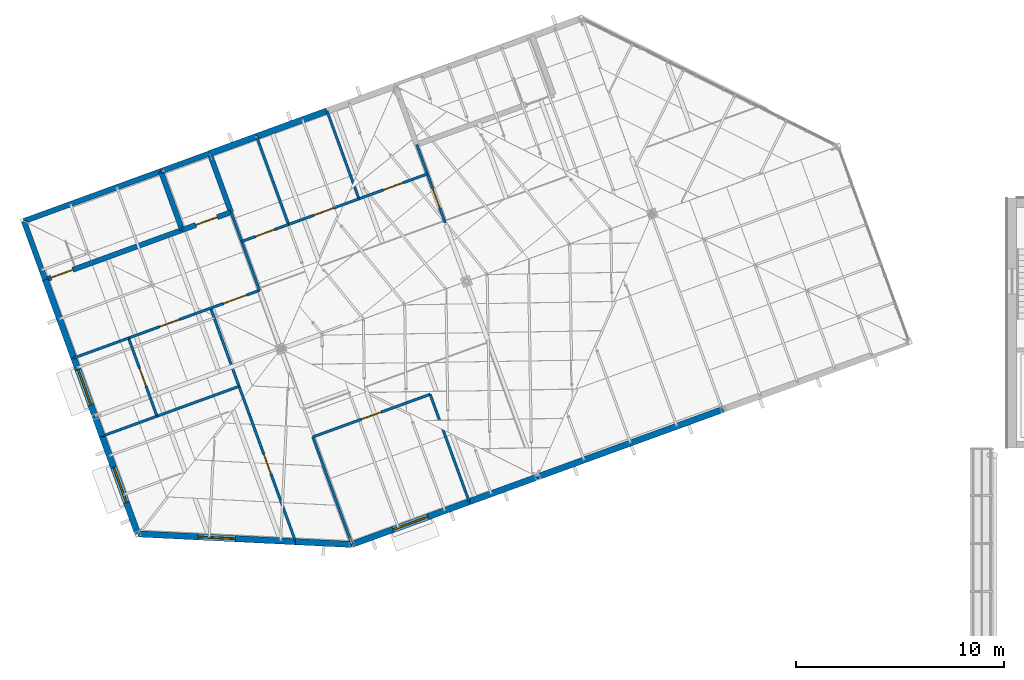
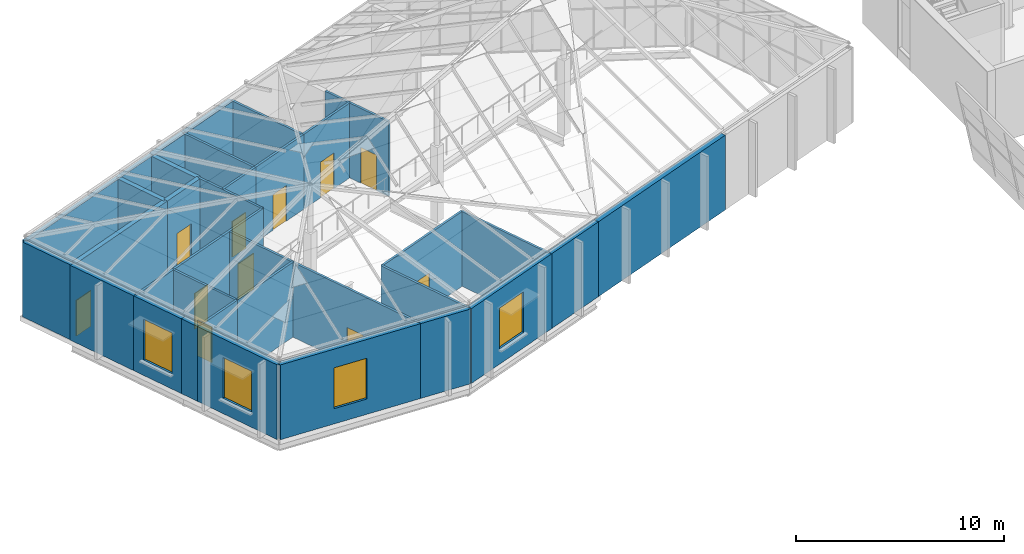
# One storey, part 51 of 95: 34 walls, 11 doors, 4 windows, 15 openings.
"""IFC4 building model written with IfcOpenShell, lengths in metres."""

from ifc_helpers import new_model, si_unit, direction, frame, frame_2d, origin, place, context, subcontext, project, spatial, rectangle, extrude, material, layer, layer_set, type_object, element, fill, save


model = new_model("IFC4")

# Units and contexts
model_context = context("Model", 3, precision=1e-05, world=origin(), true_north=direction((0.0, 1.0)))
body_context = subcontext(model_context, "Body", "Model", "MODEL_VIEW")
ifc_project = project(units=[si_unit("LENGTHUNIT", "METRE"), si_unit("AREAUNIT", "SQUARE_METRE"), si_unit("VOLUMEUNIT", "CUBIC_METRE"), si_unit("PLANEANGLEUNIT", "RADIAN"), si_unit("MASSUNIT", "GRAM", prefix="KILO")], contexts=[model_context])

# Site, building, storey
site_placement = place(None, origin())
site = spatial("IfcSite", under=ifc_project, at=site_placement, CompositionType="ELEMENT")
building_placement = place(site_placement, origin())
building = spatial("IfcBuilding", under=site, at=building_placement, Name="Windward Yard Aquatics Centre", CompositionType="ELEMENT")
storey_placement = place(building_placement, frame((0.0, 0.0, 9.39990234375)))
storey = spatial("IfcBuildingStorey", under=building, at=storey_placement, Name="L02", CompositionType="ELEMENT", Elevation=9.39990234375)

# Wall, opening, door
ifc_material_1 = material(Name="Concrete C40/50", Category="concrete")
ifc_layer_1 = layer(ifc_material_1, 0.25)
ifc_layer_set_1 = layer_set([ifc_layer_1], Name="F core wall 250 Concrete C40/50")
wall_type_1 = type_object("IfcWallType", Name="F core wall 250 Concrete C40/50", PredefinedType="SOLIDWALL", material=ifc_layer_set_1)
wall_1_placement = place(storey_placement, frame((5.751708984375, 92.07958984375, 0.0), z_axis=(0.0, 0.0, 1.0), x_axis=(0.939697665127, 0.342006283793, 0.0)))
wall_1 = element("IfcWall", 1, at=wall_1_placement, inside=storey, type_object=wall_type_1, Name="F.WL.L02.C01", PredefinedType="SOLIDWALL", context=body_context, shape_type="SweptSolid", body=[
    extrude(rectangle(XDim=7.0, YDim=0.25, at=frame_2d((3.5, 0.0))), origin(), (0.0, 0.0, 1.0), 4.400146484375),
])
opening_1_placement = place(wall_1_placement, frame((0.300048828125, 0.0, 0.0)))
opening_1 = element("IfcOpeningElement", 2, at=opening_1_placement, cuts=wall_1, Name="Opening F2001", PredefinedType="OPENING", context=body_context, shape_type="SweptSolid", body=[
    extrude(rectangle(XDim=1.10009765625, YDim=2.10009765625, at=frame_2d((0.550048828125, 1.050048828125))), frame((0.0, 0.135009765625, 0.0), z_axis=(0.0, -1.0, 0.0), x_axis=(1.0, 0.0, 0.0)), (0.0, 0.0, 1.0), 0.27001953125),
])
ifc_material_2 = material(Name="Steel, painted", Category="steel")
door_type_1 = type_object("IfcDoorType", Name="F fire door 1100x2100 steel", OperationType="SINGLE_SWING_LEFT", PredefinedType="DOOR", material=ifc_material_2)
door_1_placement = place(opening_1_placement, origin())
door_1 = element("IfcDoor", 3, at=door_1_placement, inside=storey, type_object=door_type_1, Name="Stair S1 door F2001", OperationType="SINGLE_SWING_RIGHT", OverallHeight=2.10009765625, OverallWidth=1.10009765625, PredefinedType="DOOR", context=body_context, shape_type="SweptSolid", body=[
    extrude(rectangle(XDim=1.10009765625, YDim=2.10009765625, at=frame_2d((0.550048828125, 1.050048828125))), frame((0.0, 0.02490234375, 0.0), z_axis=(0.0, -1.0, 0.0), x_axis=(1.0, 0.0, 0.0)), (0.0, 0.0, 1.0), 0.050048828125),
])
fill(opening_1, door_1)

# Wall
wall_2_placement = place(storey_placement, frame((12.32958984375, 94.4736328125, 0.0), z_axis=(0.0, 0.0, 1.0), x_axis=(-0.342037080957, 0.939686455819, 0.0)))
element("IfcWall", 4, at=wall_2_placement, inside=storey, type_object=wall_type_1, Name="F.WL.L02.C02", PredefinedType="SOLIDWALL", context=body_context, shape_type="SweptSolid", body=[
    extrude(rectangle(XDim=3.0, YDim=0.25, at=frame_2d((1.5, 0.0))), origin(), (0.0, 0.0, 1.0), 4.400146484375),
])

# Wall, opening, door
wall_3_placement = place(storey_placement, frame((12.32958984375, 94.4736328125, 0.0), z_axis=(0.0, 0.0, 1.0), x_axis=(0.939696437289, 0.342009657388, 0.0)))
wall_3 = element("IfcWall", 5, at=wall_3_placement, inside=storey, type_object=wall_type_1, Name="F.WL.L02.C03", PredefinedType="SOLIDWALL", context=body_context, shape_type="SweptSolid", body=[
    extrude(rectangle(XDim=2.499755859375, YDim=0.25, at=frame_2d((1.25, 0.0))), origin(), (0.0, 0.0, 1.0), 4.400146484375),
])
opening_2_placement = place(wall_3_placement, frame((0.699951171875, 0.0, 0.0)))
opening_2 = element("IfcOpeningElement", 6, at=opening_2_placement, cuts=wall_3, Name="Opening LD", PredefinedType="OPENING", context=body_context, shape_type="SweptSolid", body=[
    extrude(rectangle(XDim=1.10009765625, YDim=2.10009765625, at=frame_2d((0.550048828125, 1.050048828125))), frame((0.0, 0.135009765625, 0.0), z_axis=(0.0, -1.0, 0.0), x_axis=(1.0, 0.0, 0.0)), (0.0, 0.0, 1.0), 0.27001953125),
])
ifc_material_3 = material(Name="Stainless steel", Category="steel")
door_type_2 = type_object("IfcDoorType", Name="F lift landing door 1100x2100 stainless steel", OperationType="SINGLE_SWING_LEFT", PredefinedType="DOOR", material=ifc_material_3)
door_2_placement = place(opening_2_placement, origin())
door_2 = element("IfcDoor", 7, at=door_2_placement, inside=storey, type_object=door_type_2, Name="Lift landing door LD", OperationType="DOUBLE_DOOR_SLIDING", OverallHeight=2.10009765625, OverallWidth=1.10009765625, PredefinedType="DOOR", context=body_context, shape_type="SweptSolid", body=[
    extrude(rectangle(XDim=1.10009765625, YDim=2.10009765625, at=frame_2d((0.550048828125, 1.050048828125))), frame((0.0, 0.02490234375, 0.0), z_axis=(0.0, -1.0, 0.0), x_axis=(1.0, 0.0, 0.0)), (0.0, 0.0, 1.0), 0.050048828125),
])
fill(opening_2, door_2)

# Walls
wall_4_placement = place(storey_placement, frame((14.6787109375, 95.32861328125, 0.0), z_axis=(0.0, 0.0, 1.0), x_axis=(-0.342037080957, 0.939686455819, 0.0)))
element("IfcWall", 8, at=wall_4_placement, inside=storey, type_object=wall_type_1, Name="F.WL.L02.C04", PredefinedType="SOLIDWALL", context=body_context, shape_type="SweptSolid", body=[
    extrude(rectangle(XDim=3.0, YDim=0.25, at=frame_2d((1.5, 0.0))), origin(), (0.0, 0.0, 1.0), 4.400146484375),
])
wall_5_placement = place(storey_placement, frame((13.652587890625, 98.147705078125, 0.0), z_axis=(0.0, 0.0, 1.0), x_axis=(-0.939696437289, -0.342009657388, 0.0)))
element("IfcWall", 9, at=wall_5_placement, inside=storey, type_object=wall_type_1, Name="F.WL.L02.X02", PredefinedType="SOLIDWALL", context=body_context, shape_type="SweptSolid", body=[
    extrude(rectangle(XDim=2.499755859375, YDim=0.25, at=frame_2d((1.25, 0.0))), origin(), (0.0, 0.0, 1.0), 4.400146484375),
])
wall_6_placement = place(storey_placement, frame((11.303466796875, 97.292724609375, 0.0), z_axis=(0.0, 0.0, 1.0), x_axis=(-0.939686455819, -0.342037080957, 0.0)))
element("IfcWall", 10, at=wall_6_placement, inside=storey, type_object=wall_type_1, Name="F.WL.L02.X03", PredefinedType="SOLIDWALL", context=body_context, shape_type="SweptSolid", body=[
    extrude(rectangle(XDim=7.0, YDim=0.25, at=frame_2d((3.5, 0.0))), origin(), (0.0, 0.0, 1.0), 4.400146484375),
])
wall_7_placement = place(storey_placement, frame((4.7255859375, 94.8984375, 0.0), z_axis=(0.0, 0.0, 1.0), x_axis=(0.342063238742, -0.939676934218, 0.0)))
element("IfcWall", 11, at=wall_7_placement, inside=storey, type_object=wall_type_1, Name="F.WL.L02.X04", PredefinedType="SOLIDWALL", context=body_context, shape_type="SweptSolid", body=[
    extrude(rectangle(XDim=2.999755859375, YDim=0.25, at=frame_2d((1.5, 0.0))), origin(), (0.0, 0.0, 1.0), 4.400146484375),
])
ifc_material_4 = material(Name="Gypsum board on steel studs", Category="steel")
ifc_layer_2 = layer(ifc_material_4, 0.125)
ifc_layer_set_2 = layer_set([ifc_layer_2], Name="F partition 125 gypsum board")
wall_type_2 = type_object("IfcWallType", Name="F partition 125 gypsum board", PredefinedType="PARTITIONING", material=ifc_layer_set_2)
for number, where, z_axis, x_axis, name in (
    (12, (8.48779296875, 84.56201171875, 0.0), (0.0, 0.0, 1.0), (0.93970683422, 0.341981089711, 0.0), "F.WL.L02.P001"),
    (13, (7.119873046875, 88.32080078125, 0.0), (0.0, 0.0, 1.0), (0.93970683422, 0.341981089711, 0.0), "F.WL.L02.P002"),
):
    element("IfcWall", number, at=place(storey_placement, frame(where, z_axis=z_axis, x_axis=x_axis)), inside=storey, type_object=wall_type_2, Name=name, PredefinedType="PARTITIONING", context=body_context, shape_type="SweptSolid", body=[
        extrude(rectangle(XDim=2.7998046875, YDim=0.125, at=frame_2d((1.39990234375, 0.0))), origin(), (0.0, 0.0, 1.0), 4.400146484375),
    ])

# Wall, opening, door
wall_8_placement = place(storey_placement, frame((11.118896484375, 85.51953125, 0.0), z_axis=(0.0, 0.0, 1.0), x_axis=(-0.341983185197, 0.939706071622, 0.0)))
wall_8 = element("IfcWall", 14, at=wall_8_placement, inside=storey, type_object=wall_type_2, Name="F.WL.L02.P003", PredefinedType="PARTITIONING", context=body_context, shape_type="SweptSolid", body=[
    extrude(rectangle(XDim=4.0, YDim=0.125, at=frame_2d((2.0, 0.0))), origin(), (0.0, 0.0, 1.0), 4.400146484375),
])
opening_3_placement = place(wall_8_placement, frame((1.550048828125, 0.0, 0.0)))
opening_3 = element("IfcOpeningElement", 15, at=opening_3_placement, cuts=wall_8, Name="Opening F2004", PredefinedType="OPENING", context=body_context, shape_type="SweptSolid", body=[
    extrude(rectangle(XDim=0.89990234375, YDim=2.10009765625, at=frame_2d((0.449951171875, 1.050048828125))), frame((0.0, 0.072509765625, 0.0), z_axis=(0.0, -1.0, 0.0), x_axis=(1.0, 0.0, 0.0)), (0.0, 0.0, 1.0), 0.14501953125),
])
door_type_3 = type_object("IfcDoorType", Name="F fire door 900x2100 steel", OperationType="SINGLE_SWING_LEFT", PredefinedType="DOOR", material=ifc_material_2)
door_3_placement = place(opening_3_placement, origin())
door_3 = element("IfcDoor", 16, at=door_3_placement, inside=storey, type_object=door_type_3, Name="Kitchenette door F2004", OperationType="SINGLE_SWING_LEFT", OverallHeight=2.10009765625, OverallWidth=0.89990234375, PredefinedType="DOOR", context=body_context, shape_type="SweptSolid", body=[
    extrude(rectangle(XDim=0.89990234375, YDim=2.10009765625, at=frame_2d((0.449951171875, 1.050048828125))), frame((0.0, 0.02490234375, 0.0), z_axis=(0.0, -1.0, 0.0), x_axis=(1.0, 0.0, 0.0)), (0.0, 0.0, 1.0), 0.050048828125),
])
fill(opening_3, door_3)

# Wall, openings, doors
wall_9_placement = place(storey_placement, frame((9.7509765625, 89.2783203125, 0.0), z_axis=(0.0, 0.0, 1.0), x_axis=(0.939693375008, 0.342018071111, 0.0)))
wall_9 = element("IfcWall", 17, at=wall_9_placement, inside=storey, type_object=wall_type_2, Name="F.WL.L02.P004", PredefinedType="PARTITIONING", context=body_context, shape_type="SweptSolid", body=[
    extrude(rectangle(XDim=6.699951171875, YDim=0.125, at=frame_2d((3.35009765625, 0.0))), origin(), (0.0, 0.0, 1.0), 4.400146484375),
])
opening_4_placement = place(wall_9_placement, frame((4.85009765625, 0.0, 0.0)))
opening_4 = element("IfcOpeningElement", 18, at=opening_4_placement, cuts=wall_9, Name="Opening F2002", PredefinedType="OPENING", context=body_context, shape_type="SweptSolid", body=[
    extrude(rectangle(XDim=1.199951171875, YDim=2.10009765625, at=frame_2d((0.60009765625, 1.050048828125))), frame((0.0, 0.072509765625, 0.0), z_axis=(0.0, -1.0, 0.0), x_axis=(1.0, 0.0, 0.0)), (0.0, 0.0, 1.0), 0.14501953125),
])
opening_5_placement = place(wall_9_placement, frame((1.60009765625, 0.0, 0.0)))
opening_5 = element("IfcOpeningElement", 19, at=opening_5_placement, cuts=wall_9, Name="Opening F2005", PredefinedType="OPENING", context=body_context, shape_type="SweptSolid", body=[
    extrude(rectangle(XDim=1.0, YDim=2.10009765625, at=frame_2d((0.5, 1.050048828125))), frame((0.0, 0.072509765625, 0.0), z_axis=(0.0, -1.0, 0.0), x_axis=(1.0, 0.0, 0.0)), (0.0, 0.0, 1.0), 0.14501953125),
])
ifc_material_5 = material(Name="Timber, painted", Category="wood")
door_type_4 = type_object("IfcDoorType", Name="F door 1000x2100 timber", OperationType="SINGLE_SWING_LEFT", PredefinedType="DOOR", material=ifc_material_5)
door_4_placement = place(opening_5_placement, origin())
door_4 = element("IfcDoor", 20, at=door_4_placement, inside=storey, type_object=door_type_4, Name="Meeting Room 2 door F2005", OperationType="SINGLE_SWING_RIGHT", OverallHeight=2.10009765625, OverallWidth=1.0, PredefinedType="DOOR", context=body_context, shape_type="SweptSolid", body=[
    extrude(rectangle(XDim=1.0, YDim=2.10009765625, at=frame_2d((0.5, 1.050048828125))), frame((0.0, 0.02490234375, 0.0), z_axis=(0.0, -1.0, 0.0), x_axis=(1.0, 0.0, 0.0)), (0.0, 0.0, 1.0), 0.050048828125),
])
fill(opening_5, door_4)
door_type_5 = type_object("IfcDoorType", Name="F fire door 1200x2100 steel", OperationType="SINGLE_SWING_LEFT", PredefinedType="DOOR", material=ifc_material_2)
door_5_placement = place(opening_4_placement, origin())
door_5 = element("IfcDoor", 21, at=door_5_placement, inside=storey, type_object=door_type_5, Name="Lift Lobby door F2002", OperationType="SINGLE_SWING_LEFT", OverallHeight=2.10009765625, OverallWidth=1.199951171875, PredefinedType="DOOR", context=body_context, shape_type="SweptSolid", body=[
    extrude(rectangle(XDim=1.199951171875, YDim=2.10009765625, at=frame_2d((0.60009765625, 1.050048828125))), frame((0.0, 0.02490234375, 0.0), z_axis=(0.0, -1.0, 0.0), x_axis=(1.0, 0.0, 0.0)), (0.0, 0.0, 1.0), 0.050048828125),
])
fill(opening_4, door_5)

# Walls
wall_10_placement = place(storey_placement, frame((16.046875, 91.56982421875, 0.0), z_axis=(0.0, 0.0, 1.0), x_axis=(-0.342037080957, 0.939686455819, 0.0)))
element("IfcWall", 22, at=wall_10_placement, inside=storey, type_object=wall_type_2, Name="F.WL.L02.P005", PredefinedType="PARTITIONING", context=body_context, shape_type="SweptSolid", body=[
    extrude(rectangle(XDim=4.0, YDim=0.125, at=frame_2d((2.0, 0.0))), origin(), (0.0, 0.0, 1.0), 4.400146484375),
])
wall_11_placement = place(storey_placement, frame((11.118896484375, 85.51953125, 0.0), z_axis=(0.0, 0.0, 1.0), x_axis=(0.939691552312, 0.342023078919, 0.0)))
element("IfcWall", 23, at=wall_11_placement, inside=storey, type_object=wall_type_2, Name="F.WL.L02.P006", PredefinedType="PARTITIONING", context=body_context, shape_type="SweptSolid", body=[
    extrude(rectangle(XDim=4.2001953125, YDim=0.125, at=frame_2d((2.10009765625, 0.0))), origin(), (0.0, 0.0, 1.0), 4.400146484375),
])

# Wall, opening, door
wall_12_placement = place(storey_placement, frame((17.783935546875, 79.488037109375, 0.0), z_axis=(0.0, 0.0, 1.0), x_axis=(-0.342035097943, 0.939687177615, 0.0)))
wall_12 = element("IfcWall", 24, at=wall_12_placement, inside=storey, type_object=wall_type_2, Name="F.WL.L02.P007", PredefinedType="PARTITIONING", context=body_context, shape_type="SweptSolid", body=[
    extrude(rectangle(XDim=11.947265625, YDim=0.125, at=frame_2d((5.9736328125, 0.0))), origin(), (0.0, 0.0, 1.0), 4.400146484375),
])
opening_6_placement = place(wall_12_placement, frame((3.4736328125, 0.0, 0.0)))
opening_6 = element("IfcOpeningElement", 25, at=opening_6_placement, cuts=wall_12, Name="Opening F2003", PredefinedType="OPENING", context=body_context, shape_type="SweptSolid", body=[
    extrude(rectangle(XDim=1.0, YDim=2.10009765625, at=frame_2d((0.5, 1.050048828125))), frame((0.0, 0.072509765625, 0.0), z_axis=(0.0, -1.0, 0.0), x_axis=(1.0, 0.0, 0.0)), (0.0, 0.0, 1.0), 0.14501953125),
])
door_6_placement = place(opening_6_placement, origin())
door_6 = element("IfcDoor", 26, at=door_6_placement, inside=storey, type_object=door_type_4, Name="Meeting Room 1 door F2003", OperationType="SINGLE_SWING_RIGHT", OverallHeight=2.10009765625, OverallWidth=1.0, PredefinedType="DOOR", context=body_context, shape_type="SweptSolid", body=[
    extrude(rectangle(XDim=1.0, YDim=2.10009765625, at=frame_2d((0.5, 1.050048828125))), frame((0.0, 0.02490234375, 0.0), z_axis=(0.0, -1.0, 0.0), x_axis=(1.0, 0.0, 0.0)), (0.0, 0.0, 1.0), 0.050048828125),
])
fill(opening_6, door_6)

# Wall
wall_13_placement = place(storey_placement, frame((20.4931640625, 79.35400390625, 0.0), z_axis=(0.0, 0.0, 1.0), x_axis=(-0.34202461616, 0.939690992795, 0.0)))
element("IfcWall", 27, at=wall_13_placement, inside=storey, type_object=wall_type_2, Name="F.WL.L02.P008", PredefinedType="PARTITIONING", context=body_context, shape_type="SweptSolid", body=[
    extrude(rectangle(XDim=5.5, YDim=0.125, at=frame_2d((2.75, 0.0))), origin(), (0.0, 0.0, 1.0), 4.400146484375),
])

# Wall, opening, door
wall_14_placement = place(storey_placement, frame((18.612060546875, 84.522216796875, 0.0), z_axis=(0.0, 0.0, 1.0), x_axis=(0.939699533273, 0.342001150825, 0.0)))
wall_14 = element("IfcWall", 28, at=wall_14_placement, inside=storey, type_object=wall_type_2, Name="F.WL.L02.P009", PredefinedType="PARTITIONING", context=body_context, shape_type="SweptSolid", body=[
    extrude(rectangle(XDim=6.0, YDim=0.125, at=frame_2d((3.0, 0.0))), origin(), (0.0, 0.0, 1.0), 4.400146484375),
])
opening_7_placement = place(wall_14_placement, frame((2.5, 0.0, 0.0)))
opening_7 = element("IfcOpeningElement", 29, at=opening_7_placement, cuts=wall_14, Name="Opening F2006", PredefinedType="OPENING", context=body_context, shape_type="SweptSolid", body=[
    extrude(rectangle(XDim=1.0, YDim=2.10009765625, at=frame_2d((0.5, 1.050048828125))), frame((0.0, 0.072509765625, 0.0), z_axis=(0.0, -1.0, 0.0), x_axis=(1.0, 0.0, 0.0)), (0.0, 0.0, 1.0), 0.14501953125),
])
door_7_placement = place(opening_7_placement, origin())
door_7 = element("IfcDoor", 30, at=door_7_placement, inside=storey, type_object=door_type_4, Name="Meeting Room 3 door F2006", OperationType="SINGLE_SWING_LEFT", OverallHeight=2.10009765625, OverallWidth=1.0, PredefinedType="DOOR", context=body_context, shape_type="SweptSolid", body=[
    extrude(rectangle(XDim=1.0, YDim=2.10009765625, at=frame_2d((0.5, 1.050048828125))), frame((0.0, 0.02490234375, 0.0), z_axis=(0.0, -1.0, 0.0), x_axis=(1.0, 0.0, 0.0)), (0.0, 0.0, 1.0), 0.050048828125),
])
fill(opening_7, door_7)

wall_15_placement = place(storey_placement, frame((15.19189453125, 93.919189453125, 0.0), z_axis=(0.0, 0.0, 1.0), x_axis=(0.939692393678, 0.342020767299, 0.0)))
wall_15 = element("IfcWall", 31, at=wall_15_placement, inside=storey, type_object=wall_type_2, Name="F.WL.L02.P010", PredefinedType="PARTITIONING", context=body_context, shape_type="SweptSolid", body=[
    extrude(rectangle(XDim=2.39990234375, YDim=0.125, at=frame_2d((1.199951171875, 0.0))), origin(), (0.0, 0.0, 1.0), 4.400146484375),
])
opening_8_placement = place(wall_15_placement, frame((0.699951171875, 0.0, 0.0)))
opening_8 = element("IfcOpeningElement", 32, at=opening_8_placement, cuts=wall_15, Name="Opening F2007", PredefinedType="OPENING", context=body_context, shape_type="SweptSolid", body=[
    extrude(rectangle(XDim=1.0, YDim=2.10009765625, at=frame_2d((0.5, 1.050048828125))), frame((0.0, 0.072509765625, 0.0), z_axis=(0.0, -1.0, 0.0), x_axis=(1.0, 0.0, 0.0)), (0.0, 0.0, 1.0), 0.14501953125),
])
door_8_placement = place(opening_8_placement, origin())
door_8 = element("IfcDoor", 33, at=door_8_placement, inside=storey, type_object=door_type_4, Name="Accessible WC door F2007", OperationType="SINGLE_SWING_RIGHT", OverallHeight=2.10009765625, OverallWidth=1.0, PredefinedType="DOOR", context=body_context, shape_type="SweptSolid", body=[
    extrude(rectangle(XDim=1.0, YDim=2.10009765625, at=frame_2d((0.5, 1.050048828125))), frame((0.0, 0.02490234375, 0.0), z_axis=(0.0, -1.0, 0.0), x_axis=(1.0, 0.0, 0.0)), (0.0, 0.0, 1.0), 0.050048828125),
])
fill(opening_8, door_8)

# Wall
wall_16_placement = place(storey_placement, frame((17.447021484375, 94.739990234375, 0.0), z_axis=(0.0, 0.0, 1.0), x_axis=(-0.3420218461, 0.939692001025, 0.0)))
element("IfcWall", 34, at=wall_16_placement, inside=storey, type_object=wall_type_2, Name="F.WL.L02.P011", PredefinedType="PARTITIONING", context=body_context, shape_type="SweptSolid", body=[
    extrude(rectangle(XDim=4.5, YDim=0.125, at=frame_2d((2.25, 0.0))), origin(), (0.0, 0.0, 1.0), 4.400146484375),
])

# Wall, opening, door
wall_17_placement = place(storey_placement, frame((17.447021484375, 94.739990234375, 0.0), z_axis=(0.0, 0.0, 1.0), x_axis=(0.939704292321, 0.341988074343, 0.0)))
wall_17 = element("IfcWall", 35, at=wall_17_placement, inside=storey, type_object=wall_type_2, Name="F.WL.L02.P012", PredefinedType="PARTITIONING", context=body_context, shape_type="SweptSolid", body=[
    extrude(rectangle(XDim=3.60009765625, YDim=0.125, at=frame_2d((1.800048828125, 0.0))), origin(), (0.0, 0.0, 1.0), 4.400146484375),
])
opening_9_placement = place(wall_17_placement, frame((1.300048828125, 0.0, 0.0)))
opening_9 = element("IfcOpeningElement", 36, at=opening_9_placement, cuts=wall_17, Name="Opening F2008", PredefinedType="OPENING", context=body_context, shape_type="SweptSolid", body=[
    extrude(rectangle(XDim=1.0, YDim=2.10009765625, at=frame_2d((0.5, 1.050048828125))), frame((0.0, 0.072509765625, 0.0), z_axis=(0.0, -1.0, 0.0), x_axis=(1.0, 0.0, 0.0)), (0.0, 0.0, 1.0), 0.14501953125),
])
door_9_placement = place(opening_9_placement, origin())
door_9 = element("IfcDoor", 37, at=door_9_placement, inside=storey, type_object=door_type_4, Name="WC Women door F2008", OperationType="SINGLE_SWING_LEFT", OverallHeight=2.10009765625, OverallWidth=1.0, PredefinedType="DOOR", context=body_context, shape_type="SweptSolid", body=[
    extrude(rectangle(XDim=1.0, YDim=2.10009765625, at=frame_2d((0.5, 1.050048828125))), frame((0.0, 0.02490234375, 0.0), z_axis=(0.0, -1.0, 0.0), x_axis=(1.0, 0.0, 0.0)), (0.0, 0.0, 1.0), 0.050048828125),
])
fill(opening_9, door_9)

# Walls
wall_18_placement = place(storey_placement, frame((26.13134765625, 81.406005859375, 0.0), z_axis=(0.0, 0.0, 1.0), x_axis=(-0.34202461616, 0.939690992795, 0.0)))
element("IfcWall", 38, at=wall_18_placement, inside=storey, type_object=wall_type_2, Name="F.WL.L02.P013", PredefinedType="PARTITIONING", context=body_context, shape_type="SweptSolid", body=[
    extrude(rectangle(XDim=5.5, YDim=0.125, at=frame_2d((2.75, 0.0))), origin(), (0.0, 0.0, 1.0), 4.400146484375),
])
wall_19_placement = place(storey_placement, frame((20.830078125, 95.97119140625, 0.0), z_axis=(0.0, 0.0, 1.0), x_axis=(-0.34200440972, 0.939698347201, 0.0)))
element("IfcWall", 39, at=wall_19_placement, inside=storey, type_object=wall_type_2, Name="F.WL.L02.P014", PredefinedType="PARTITIONING", context=body_context, shape_type="SweptSolid", body=[
    extrude(rectangle(XDim=4.500244140625, YDim=0.125, at=frame_2d((2.25, 0.0))), origin(), (0.0, 0.0, 1.0), 4.400146484375),
])

# Wall, opening, door
wall_20_placement = place(storey_placement, frame((20.830078125, 95.97119140625, 0.0), z_axis=(0.0, 0.0, 1.0), x_axis=(0.939693585395, 0.342017493073, 0.0)))
wall_20 = element("IfcWall", 40, at=wall_20_placement, inside=storey, type_object=wall_type_2, Name="F.WL.L02.P015", PredefinedType="PARTITIONING", context=body_context, shape_type="SweptSolid", body=[
    extrude(rectangle(XDim=3.5, YDim=0.125, at=frame_2d((1.75, 0.0))), origin(), (0.0, 0.0, 1.0), 4.400146484375),
])
opening_10_placement = place(wall_20_placement, frame((1.25, 0.0, 0.0)))
opening_10 = element("IfcOpeningElement", 41, at=opening_10_placement, cuts=wall_20, Name="Opening F2009", PredefinedType="OPENING", context=body_context, shape_type="SweptSolid", body=[
    extrude(rectangle(XDim=1.0, YDim=2.10009765625, at=frame_2d((0.5, 1.050048828125))), frame((0.0, 0.072509765625, 0.0), z_axis=(0.0, -1.0, 0.0), x_axis=(1.0, 0.0, 0.0)), (0.0, 0.0, 1.0), 0.14501953125),
])
door_10_placement = place(opening_10_placement, origin())
door_10 = element("IfcDoor", 42, at=door_10_placement, inside=storey, type_object=door_type_4, Name="WC Men door F2009", OperationType="SINGLE_SWING_RIGHT", OverallHeight=2.10009765625, OverallWidth=1.0, PredefinedType="DOOR", context=body_context, shape_type="SweptSolid", body=[
    extrude(rectangle(XDim=1.0, YDim=2.10009765625, at=frame_2d((0.5, 1.050048828125))), frame((0.0, 0.02490234375, 0.0), z_axis=(0.0, -1.0, 0.0), x_axis=(1.0, 0.0, 0.0)), (0.0, 0.0, 1.0), 0.050048828125),
])
fill(opening_10, door_10)

wall_21_placement = place(storey_placement, frame((24.973876953125, 94.819091796875, 0.0), z_axis=(0.0, 0.0, 1.0), x_axis=(-0.341983185197, 0.939706071622, 0.0)))
wall_21 = element("IfcWall", 43, at=wall_21_placement, inside=storey, type_object=wall_type_2, Name="F.WL.L02.P016", PredefinedType="PARTITIONING", context=body_context, shape_type="SweptSolid", body=[
    extrude(rectangle(XDim=4.0, YDim=0.125, at=frame_2d((2.0, 0.0))), origin(), (0.0, 0.0, 1.0), 4.400146484375),
])
opening_11_placement = place(wall_21_placement, frame((0.75, 0.0, 0.0)))
opening_11 = element("IfcOpeningElement", 44, at=opening_11_placement, cuts=wall_21, Name="Opening F2011", PredefinedType="OPENING", context=body_context, shape_type="SweptSolid", body=[
    extrude(rectangle(XDim=1.0, YDim=2.10009765625, at=frame_2d((0.5, 1.050048828125))), frame((0.0, 0.072509765625, 0.0), z_axis=(0.0, -1.0, 0.0), x_axis=(1.0, 0.0, 0.0)), (0.0, 0.0, 1.0), 0.14501953125),
])
door_11_placement = place(opening_11_placement, origin())
door_11 = element("IfcDoor", 45, at=door_11_placement, inside=storey, type_object=door_type_4, Name="Function Room door F2011", OperationType="SINGLE_SWING_RIGHT", OverallHeight=2.10009765625, OverallWidth=1.0, PredefinedType="DOOR", context=body_context, shape_type="SweptSolid", body=[
    extrude(rectangle(XDim=1.0, YDim=2.10009765625, at=frame_2d((0.5, 1.050048828125))), frame((0.0, 0.02490234375, 0.0), z_axis=(0.0, -1.0, 0.0), x_axis=(1.0, 0.0, 0.0)), (0.0, 0.0, 1.0), 0.050048828125),
])
fill(opening_11, door_11)

# Wall, opening, window
ifc_material_6 = material(Name="Natural stone cladding", Category="masonry")
ifc_layer_3 = layer(ifc_material_6, 0.04, Name="Cladding")
ifc_material_7 = material(Name="Ventilated air cavity")
ifc_layer_4 = layer(ifc_material_7, 0.04, ventilated=True, Name="Ventilated cavity")
ifc_material_8 = material(Name="Mineral wool insulation")
ifc_layer_5 = layer(ifc_material_8, 0.06, Name="Insulation")
ifc_layer_6 = layer(ifc_material_1, 0.16, Name="Structure")
ifc_layer_set_3 = layer_set([ifc_layer_3, ifc_layer_4, ifc_layer_5, ifc_layer_6], Name="F stone-faced infill wall 300 Concrete C40/50")
wall_type_3 = type_object("IfcWallType", Name="F stone-faced infill wall 300 Concrete C40/50", PredefinedType="ELEMENTEDWALL", material=ifc_layer_set_3)
wall_22_placement = place(storey_placement, frame((10.197998046875, 79.863525390625, 0.0), z_axis=(0.0, 0.0, 1.0), x_axis=(0.998777223391, -0.049437415344, 0.0)))
wall_22 = element("IfcWall", 46, at=wall_22_placement, inside=storey, type_object=wall_type_3, Name="F.WL.L02.E01", PredefinedType="ELEMENTEDWALL", context=body_context, shape_type="SweptSolid", body=[
    extrude(rectangle(XDim=7.59521484375, YDim=0.300048828125, at=frame_2d((3.797607421875, 0.0))), origin(), (0.0, 0.0, 1.0), 4.400146484375),
])
opening_12_placement = place(wall_22_placement, frame((2.897705078125, 0.0, 0.89990234375)))
opening_12 = element("IfcOpeningElement", 47, at=opening_12_placement, cuts=wall_22, Name="Opening F2101", PredefinedType="OPENING", context=body_context, shape_type="SweptSolid", body=[
    extrude(rectangle(XDim=1.800048828125, YDim=2.39990234375, at=frame_2d((0.89990234375, 1.199951171875))), frame((0.0, 0.16015625, 0.0), z_axis=(0.0, -1.0, 0.0), x_axis=(1.0, 0.0, 0.0)), (0.0, 0.0, 1.0), 0.320068359375),
])
ifc_material_9 = material(Name="Aluminium frame with double glazing", Category="aluminium")
window_type = type_object("IfcWindowType", Name="F window 1800x2400 double glazed", PartitioningType="SINGLE_PANEL", PredefinedType="WINDOW", material=ifc_material_9)
window_1_placement = place(opening_12_placement, origin())
window_1 = element("IfcWindow", 48, at=window_1_placement, inside=storey, type_object=window_type, Name="Window F2101", OverallHeight=2.39990234375, OverallWidth=1.800048828125, PartitioningType="SINGLE_PANEL", PredefinedType="WINDOW", context=body_context, shape_type="SweptSolid", body=[
    extrude(rectangle(XDim=1.800048828125, YDim=2.39990234375, at=frame_2d((0.89990234375, 1.199951171875))), frame((0.0, 0.030029296875, 0.0), z_axis=(0.0, -1.0, 0.0), x_axis=(1.0, 0.0, 0.0)), (0.0, 0.0, 1.0), 0.06005859375),
])
fill(opening_12, window_1)

# Wall
wall_23_placement = place(storey_placement, frame((17.783935546875, 79.488037109375, 0.0), z_axis=(0.0, 0.0, 1.0), x_axis=(0.998778461407, -0.049412397523, 0.0)))
element("IfcWall", 49, at=wall_23_placement, inside=storey, type_object=wall_type_3, Name="F.WL.L02.E02", PredefinedType="ELEMENTEDWALL", context=body_context, shape_type="SweptSolid", body=[
    extrude(rectangle(XDim=2.712646484375, YDim=0.300048828125, at=frame_2d((1.3564453125, 0.0))), origin(), (0.0, 0.0, 1.0), 4.400146484375),
])

# Wall, opening, window
wall_24_placement = place(storey_placement, frame((20.4931640625, 79.35400390625, 0.0), z_axis=(0.0, 0.0, 1.0), x_axis=(0.939699533273, 0.342001150825, 0.0)))
wall_24 = element("IfcWall", 50, at=wall_24_placement, inside=storey, type_object=wall_type_3, Name="F.WL.L02.E03", PredefinedType="ELEMENTEDWALL", context=body_context, shape_type="SweptSolid", body=[
    extrude(rectangle(XDim=6.0, YDim=0.300048828125, at=frame_2d((3.0, 0.0))), origin(), (0.0, 0.0, 1.0), 4.400146484375),
])
opening_13_placement = place(wall_24_placement, frame((2.10009765625, 0.0, 0.89990234375)))
opening_13 = element("IfcOpeningElement", 51, at=opening_13_placement, cuts=wall_24, Name="Opening F2102", PredefinedType="OPENING", context=body_context, shape_type="SweptSolid", body=[
    extrude(rectangle(XDim=1.800048828125, YDim=2.39990234375, at=frame_2d((0.89990234375, 1.199951171875))), frame((0.0, 0.16015625, 0.0), z_axis=(0.0, -1.0, 0.0), x_axis=(1.0, 0.0, 0.0)), (0.0, 0.0, 1.0), 0.320068359375),
])
window_2_placement = place(opening_13_placement, origin())
window_2 = element("IfcWindow", 52, at=window_2_placement, inside=storey, type_object=window_type, Name="Window F2102", OverallHeight=2.39990234375, OverallWidth=1.800048828125, PartitioningType="SINGLE_PANEL", PredefinedType="WINDOW", context=body_context, shape_type="SweptSolid", body=[
    extrude(rectangle(XDim=1.800048828125, YDim=2.39990234375, at=frame_2d((0.89990234375, 1.199951171875))), frame((0.0, 0.030029296875, 0.0), z_axis=(0.0, -1.0, 0.0), x_axis=(1.0, 0.0, 0.0)), (0.0, 0.0, 1.0), 0.06005859375),
])
fill(opening_13, window_2)

# Walls
wall_25_placement = place(storey_placement, frame((26.13134765625, 81.406005859375, 0.0), z_axis=(0.0, 0.0, 1.0), x_axis=(0.939693585395, 0.342017493073, 0.0)))
element("IfcWall", 53, at=wall_25_placement, inside=storey, type_object=wall_type_3, Name="F.WL.L02.E04", PredefinedType="ELEMENTEDWALL", context=body_context, shape_type="SweptSolid", body=[
    extrude(rectangle(XDim=3.5, YDim=0.300048828125, at=frame_2d((1.75, 0.0))), origin(), (0.0, 0.0, 1.0), 4.400146484375),
])
wall_26_placement = place(storey_placement, frame((29.420166015625, 82.60302734375, 0.0), z_axis=(0.0, 0.0, 1.0), x_axis=(0.939692088769, 0.342021605027, 0.0)))
element("IfcWall", 54, at=wall_26_placement, inside=storey, type_object=wall_type_3, Name="F.WL.L02.E05", PredefinedType="ELEMENTEDWALL", context=body_context, shape_type="SweptSolid", body=[
    extrude(rectangle(XDim=9.500244140625, YDim=0.300048828125, at=frame_2d((4.75, 0.0))), origin(), (0.0, 0.0, 1.0), 4.400146484375),
])
wall_27_placement = place(storey_placement, frame((19.291015625, 100.199951171875, 0.0), z_axis=(0.0, 0.0, 1.0), x_axis=(-0.93968249756, -0.342047955379, 0.0)))
element("IfcWall", 55, at=wall_27_placement, inside=storey, type_object=wall_type_3, Name="F.WL.L02.E09", PredefinedType="ELEMENTEDWALL", context=body_context, shape_type="SweptSolid", body=[
    extrude(rectangle(XDim=3.60009765625, YDim=0.300048828125, at=frame_2d((1.800048828125, 0.0))), origin(), (0.0, 0.0, 1.0), 4.400146484375),
])
wall_28_placement = place(storey_placement, frame((15.907958984375, 98.968505859375, 0.0), z_axis=(0.0, 0.0, 1.0), x_axis=(-0.939704292321, -0.341988074343, 0.0)))
element("IfcWall", 56, at=wall_28_placement, inside=storey, type_object=wall_type_3, Name="F.WL.L02.E10", PredefinedType="ELEMENTEDWALL", context=body_context, shape_type="SweptSolid", body=[
    extrude(rectangle(XDim=2.400146484375, YDim=0.300048828125, at=frame_2d((1.2001953125, 0.0))), origin(), (0.0, 0.0, 1.0), 4.400146484375),
])
wall_29_placement = place(storey_placement, frame((5.751708984375, 92.07958984375, 0.0), z_axis=(0.0, 0.0, 1.0), x_axis=(0.342037080957, -0.939686455819, 0.0)))
element("IfcWall", 57, at=wall_29_placement, inside=storey, type_object=wall_type_3, Name="F.WL.L02.E11", PredefinedType="ELEMENTEDWALL", context=body_context, shape_type="SweptSolid", body=[
    extrude(rectangle(XDim=4.0, YDim=0.300048828125, at=frame_2d((2.0, 0.0))), origin(), (0.0, 0.0, 1.0), 4.400146484375),
])

# Wall, opening, window
wall_30_placement = place(storey_placement, frame((7.119873046875, 88.32080078125, 0.0), z_axis=(0.0, 0.0, 1.0), x_axis=(0.341965219194, -0.939712609717, 0.0)))
wall_30 = element("IfcWall", 58, at=wall_30_placement, inside=storey, type_object=wall_type_3, Name="F.WL.L02.E12", PredefinedType="ELEMENTEDWALL", context=body_context, shape_type="SweptSolid", body=[
    extrude(rectangle(XDim=3.0, YDim=0.300048828125, at=frame_2d((1.5, 0.0))), origin(), (0.0, 0.0, 1.0), 4.400146484375),
])
opening_14_placement = place(wall_30_placement, frame((0.60009765625, 0.0, 0.89990234375)))
opening_14 = element("IfcOpeningElement", 59, at=opening_14_placement, cuts=wall_30, Name="Opening F2103", PredefinedType="OPENING", context=body_context, shape_type="SweptSolid", body=[
    extrude(rectangle(XDim=1.800048828125, YDim=2.39990234375, at=frame_2d((0.89990234375, 1.199951171875))), frame((0.0, 0.16015625, 0.0), z_axis=(0.0, -1.0, 0.0), x_axis=(1.0, 0.0, 0.0)), (0.0, 0.0, 1.0), 0.320068359375),
])
window_3_placement = place(opening_14_placement, origin())
window_3 = element("IfcWindow", 60, at=window_3_placement, inside=storey, type_object=window_type, Name="Window F2103", OverallHeight=2.39990234375, OverallWidth=1.800048828125, PartitioningType="SINGLE_PANEL", PredefinedType="WINDOW", context=body_context, shape_type="SweptSolid", body=[
    extrude(rectangle(XDim=1.800048828125, YDim=2.39990234375, at=frame_2d((0.89990234375, 1.199951171875))), frame((0.0, 0.030029296875, 0.0), z_axis=(0.0, -1.0, 0.0), x_axis=(1.0, 0.0, 0.0)), (0.0, 0.0, 1.0), 0.06005859375),
])
fill(opening_14, window_3)

# Wall
wall_31_placement = place(storey_placement, frame((8.145751953125, 85.501708984375, 0.0), z_axis=(0.0, 0.0, 1.0), x_axis=(0.342037080957, -0.939686455819, 0.0)))
element("IfcWall", 61, at=wall_31_placement, inside=storey, type_object=wall_type_3, Name="F.WL.L02.E13", PredefinedType="ELEMENTEDWALL", context=body_context, shape_type="SweptSolid", body=[
    extrude(rectangle(XDim=1.0, YDim=0.300048828125, at=frame_2d((0.5, 0.0))), origin(), (0.0, 0.0, 1.0), 4.400146484375),
])

# Wall, opening, window
wall_32_placement = place(storey_placement, frame((8.48779296875, 84.56201171875, 0.0), z_axis=(0.0, 0.0, 1.0), x_axis=(0.342037080957, -0.939686455819, 0.0)))
wall_32 = element("IfcWall", 62, at=wall_32_placement, inside=storey, type_object=wall_type_3, Name="F.WL.L02.E14", PredefinedType="ELEMENTEDWALL", context=body_context, shape_type="SweptSolid", body=[
    extrude(rectangle(XDim=5.0, YDim=0.300048828125, at=frame_2d((2.5, 0.0))), origin(), (0.0, 0.0, 1.0), 4.400146484375),
])
opening_15_placement = place(wall_32_placement, frame((1.60009765625, 0.0, 0.89990234375)))
opening_15 = element("IfcOpeningElement", 63, at=opening_15_placement, cuts=wall_32, Name="Opening F2104", PredefinedType="OPENING", context=body_context, shape_type="SweptSolid", body=[
    extrude(rectangle(XDim=1.800048828125, YDim=2.39990234375, at=frame_2d((0.89990234375, 1.199951171875))), frame((0.0, 0.16015625, 0.0), z_axis=(0.0, -1.0, 0.0), x_axis=(1.0, 0.0, 0.0)), (0.0, 0.0, 1.0), 0.320068359375),
])
window_4_placement = place(opening_15_placement, origin())
window_4 = element("IfcWindow", 64, at=window_4_placement, inside=storey, type_object=window_type, Name="Window F2104", OverallHeight=2.39990234375, OverallWidth=1.800048828125, PartitioningType="SINGLE_PANEL", PredefinedType="WINDOW", context=body_context, shape_type="SweptSolid", body=[
    extrude(rectangle(XDim=1.800048828125, YDim=2.39990234375, at=frame_2d((0.89990234375, 1.199951171875))), frame((0.0, 0.030029296875, 0.0), z_axis=(0.0, -1.0, 0.0), x_axis=(1.0, 0.0, 0.0)), (0.0, 0.0, 1.0), 0.06005859375),
])
fill(opening_15, window_4)

save(model, "model.ifc")
